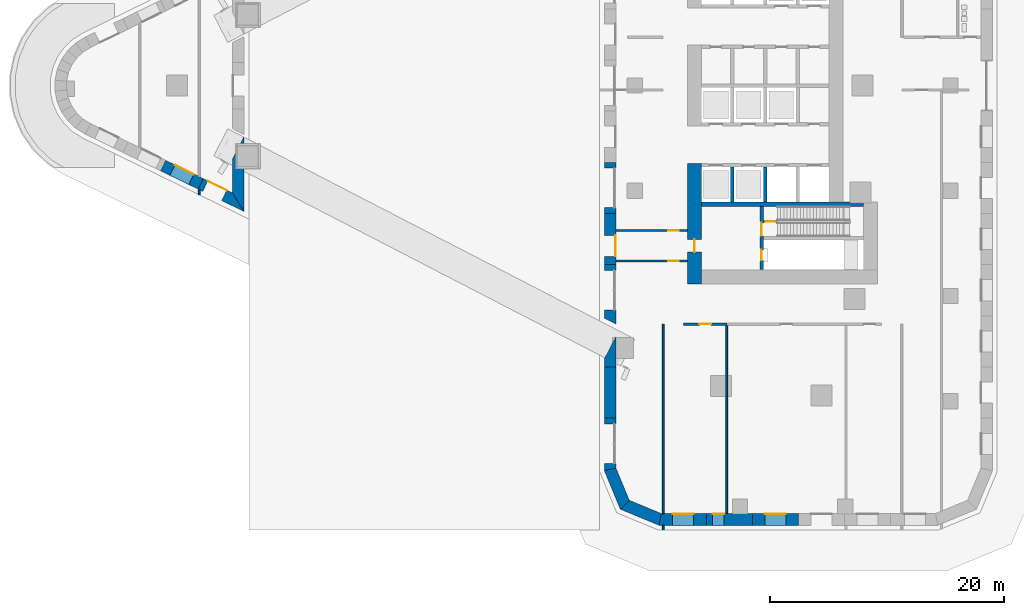
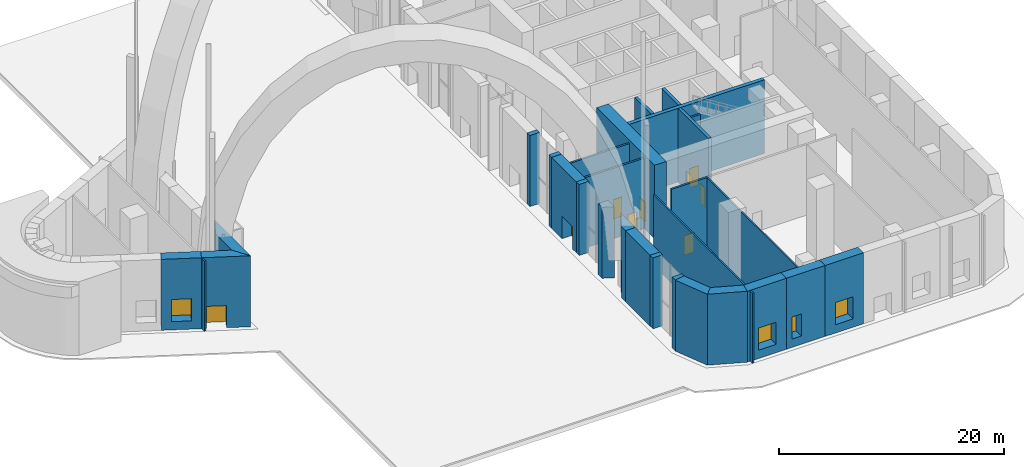
# One storey, part 9 of 22: 30 walls, 9 doors, 4 windows, 13 openings.
"""IFC4 building model written with IfcOpenShell, lengths in metres."""

from ifc_helpers import new_model, si_unit, direction, frame, frame_2d, origin, place, context, subcontext, project, spatial, polyline, rectangle, outline, extrude, material, layer, layer_set, type_object, element, fill, save


model = new_model("IFC4")

# Units and contexts
model_context = context("Model", 3, precision=1e-05, world=origin(), true_north=direction((0.0, 1.0)))
body_context = subcontext(model_context, "Body", "Model", "MODEL_VIEW")
ifc_project = project(units=[si_unit("LENGTHUNIT", "METRE"), si_unit("AREAUNIT", "SQUARE_METRE"), si_unit("VOLUMEUNIT", "CUBIC_METRE"), si_unit("PLANEANGLEUNIT", "RADIAN"), si_unit("MASSUNIT", "GRAM", prefix="KILO")], contexts=[model_context])

# Site, building, storey
site_placement = place(None, origin())
site = spatial("IfcSite", under=ifc_project, at=site_placement, CompositionType="ELEMENT")
building_placement = place(site_placement, origin())
building = spatial("IfcBuilding", under=site, at=building_placement, Name="Ostrand Prow Hotel Tower", CompositionType="ELEMENT")
storey_placement = place(building_placement, origin())
storey = spatial("IfcBuildingStorey", under=building, at=storey_placement, Name="L00", CompositionType="ELEMENT", Elevation=0.0)

# Wall, opening, door
ifc_material_1 = material(Name="Concrete C80/95", Category="concrete")
ifc_layer_1 = layer(ifc_material_1, 1.199951171875)
ifc_layer_set_1 = layer_set([ifc_layer_1], Name="Concrete C80/95")
wall_type_1 = type_object("IfcWallType", Name="Core wall 1200 C80/95", PredefinedType="SHEAR", material=ifc_layer_set_1)
wall_1_placement = place(storey_placement, frame((50.10009765625, -16.949951171875, 0.0), z_axis=(0.0, 0.0, 1.0), x_axis=(0.0, 1.0, 0.0)))
wall_1 = element("IfcWall", 1, at=wall_1_placement, inside=storey, type_object=wall_type_1, Name="Core wall CW-W-S", PredefinedType="SHEAR", context=body_context, shape_type="SweptSolid", body=[
    extrude(rectangle(XDim=10.300048828125, YDim=1.199951171875, at=frame_2d((5.14990234375, 0.0))), origin(), (0.0, 0.0, 1.0), 8.0),
])
opening_1_placement = place(wall_1_placement, frame((2.699951171875, 0.0, 0.0)))
opening_1 = element("IfcOpeningElement", 2, at=opening_1_placement, cuts=wall_1, Name="Opening FD1", PredefinedType="OPENING", context=body_context, shape_type="SweptSolid", body=[
    extrude(rectangle(XDim=1.10009765625, YDim=2.10009765625, at=frame_2d((0.550048828125, 1.050048828125))), frame((0.0, 0.60986328125, 0.0), z_axis=(0.0, -1.0, 0.0), x_axis=(1.0, 0.0, 0.0)), (0.0, 0.0, 1.0), 1.219970703125),
])
ifc_material_2 = material(Name="Steel fire door", Category="steel")
door_type_1 = type_object("IfcDoorType", Name="Fire door 1100 EI120", OperationType="SINGLE_SWING_RIGHT", PredefinedType="DOOR", material=ifc_material_2)
door_1_placement = place(opening_1_placement, origin())
door_1 = element("IfcDoor", 3, at=door_1_placement, inside=storey, type_object=door_type_1, Name="FIRE DOOR", OperationType="SINGLE_SWING_RIGHT", OverallHeight=2.10009765625, OverallWidth=1.10009765625, PredefinedType="DOOR", context=body_context, shape_type="SweptSolid", body=[
    extrude(rectangle(XDim=1.10009765625, YDim=2.10009765625, at=frame_2d((0.550048828125, 1.050048828125))), frame((0.0, 0.02490234375, 0.0), z_axis=(0.0, -1.0, 0.0), x_axis=(1.0, 0.0, 0.0)), (0.0, 0.0, 1.0), 0.050048828125),
])
fill(opening_1, door_1)

# Walls
ifc_material_3 = material(Name="Concrete C80/95", Category="concrete")
ifc_layer_2 = layer(ifc_material_3, 0.300048828125)
ifc_layer_set_2 = layer_set([ifc_layer_2], Name="Concrete C80/95")
wall_type_2 = type_object("IfcWallType", Name="Core wall 300 C80/95", PredefinedType="SHEAR", material=ifc_layer_set_2)
for number, where, z_axis, x_axis, name in (
    (4, (53.35009765625, -9.949951171875, 0.0), (0.0, 0.0, 1.0), (0.0, 1.0, 0.0), "Core wall PW-R1-SA"),
    (5, (56.14990234375, -9.949951171875, 0.0), (0.0, 0.0, 1.0), (0.0, 1.0, 0.0), "Core wall PW-R2-SA"),
):
    element("IfcWall", number, at=place(storey_placement, frame(where, z_axis=z_axis, x_axis=x_axis)), inside=storey, type_object=wall_type_2, Name=name, PredefinedType="SHEAR", context=body_context, shape_type="SweptSolid", body=[
        extrude(rectangle(XDim=3.0, YDim=0.300048828125, at=frame_2d((1.5, 0.0))), origin(), (0.0, 0.0, 1.0), 8.0),
    ])

# Wall, openings, doors
wall_2_placement = place(storey_placement, frame((55.85009765625, -15.75, 0.0), z_axis=(0.0, 0.0, 1.0), x_axis=(0.0, 1.0, 0.0)))
wall_2 = element("IfcWall", 6, at=wall_2_placement, inside=storey, type_object=wall_type_2, Name="Core wall PW-VS", PredefinedType="SHEAR", context=body_context, shape_type="SweptSolid", body=[
    extrude(rectangle(XDim=5.39990234375, YDim=0.300048828125, at=frame_2d((2.699951171875, 0.0))), origin(), (0.0, 0.0, 1.0), 8.0),
])
opening_2_placement = place(wall_2_placement, frame((2.89990234375, 0.0, 0.0)))
opening_2 = element("IfcOpeningElement", 7, at=opening_2_placement, cuts=wall_2, Name="Opening FD1", PredefinedType="OPENING", context=body_context, shape_type="SweptSolid", body=[
    extrude(rectangle(XDim=1.10009765625, YDim=2.10009765625, at=frame_2d((0.550048828125, 1.050048828125))), frame((0.0, 0.159912109375, 0.0), z_axis=(0.0, -1.0, 0.0), x_axis=(1.0, 0.0, 0.0)), (0.0, 0.0, 1.0), 0.320068359375),
])
opening_3_placement = place(wall_2_placement, frame((0.800048828125, 0.0, 0.0)))
opening_3 = element("IfcOpeningElement", 8, at=opening_3_placement, cuts=wall_2, Name="Opening FD2", PredefinedType="OPENING", context=body_context, shape_type="SweptSolid", body=[
    extrude(rectangle(XDim=0.89990234375, YDim=2.10009765625, at=frame_2d((0.449951171875, 1.050048828125))), frame((0.0, 0.159912109375, 0.0), z_axis=(0.0, -1.0, 0.0), x_axis=(1.0, 0.0, 0.0)), (0.0, 0.0, 1.0), 0.320068359375),
])
door_2_placement = place(opening_2_placement, origin())
door_2 = element("IfcDoor", 9, at=door_2_placement, inside=storey, type_object=door_type_1, Name="FIRE DOOR", OperationType="SINGLE_SWING_RIGHT", OverallHeight=2.10009765625, OverallWidth=1.10009765625, PredefinedType="DOOR", context=body_context, shape_type="SweptSolid", body=[
    extrude(rectangle(XDim=1.10009765625, YDim=2.10009765625, at=frame_2d((0.550048828125, 1.050048828125))), frame((0.0, 0.02490234375, 0.0), z_axis=(0.0, -1.0, 0.0), x_axis=(1.0, 0.0, 0.0)), (0.0, 0.0, 1.0), 0.050048828125),
])
fill(opening_2, door_2)
ifc_material_4 = material(Name="Steel fire door", Category="steel")
door_type_2 = type_object("IfcDoorType", Name="Fire door 900 EI120", OperationType="SINGLE_SWING_LEFT", PredefinedType="DOOR", material=ifc_material_4)
door_3_placement = place(opening_3_placement, origin())
door_3 = element("IfcDoor", 10, at=door_3_placement, inside=storey, type_object=door_type_2, Name="FIRE DOOR", OperationType="SINGLE_SWING_LEFT", OverallHeight=2.10009765625, OverallWidth=0.89990234375, PredefinedType="DOOR", context=body_context, shape_type="SweptSolid", body=[
    extrude(rectangle(XDim=0.89990234375, YDim=2.10009765625, at=frame_2d((0.449951171875, 1.050048828125))), frame((0.0, 0.02490234375, 0.0), z_axis=(0.0, -1.0, 0.0), x_axis=(1.0, 0.0, 0.0)), (0.0, 0.0, 1.0), 0.050048828125),
])
fill(opening_3, door_3)

# Walls
ifc_material_5 = material(Name="Concrete C80/95", Category="concrete")
ifc_layer_3 = layer(ifc_material_5, 0.39990234375)
ifc_layer_set_3 = layer_set([ifc_layer_3], Name="Concrete C80/95")
wall_type_3 = type_object("IfcWallType", Name="Core wall 400 C80/95", PredefinedType="SHEAR", material=ifc_layer_set_3)
wall_3_placement = place(storey_placement, frame((50.699951171875, -10.14990234375, 0.0), z_axis=(0.0, 0.0, 1.0), x_axis=(1.0, 0.0, 0.0)))
element("IfcWall", 11, at=wall_3_placement, inside=storey, type_object=wall_type_3, Name="Core wall PW-BS", PredefinedType="SHEAR", context=body_context, shape_type="SweptSolid", body=[
    extrude(rectangle(XDim=13.860107421875, YDim=0.39990234375, at=frame_2d((6.93017578125, 0.0))), origin(), (0.0, 0.0, 1.0), 8.0),
])
ifc_material_6 = material(Name="Plasterboard partition")
ifc_layer_4 = layer(ifc_material_6, 0.14990234375)
ifc_layer_set_4 = layer_set([ifc_layer_4], Name="Plasterboard partition")
wall_type_4 = type_object("IfcWallType", Name="Partition 150 room partition", PredefinedType="PARTITIONING", material=ifc_layer_set_4)
wall_4_placement = place(storey_placement, frame((47.43994140625, -38.0, 0.0), z_axis=(0.0, 0.0, 1.0), x_axis=(0.0, 1.0, 0.0)))
element("IfcWall", 12, at=wall_4_placement, inside=storey, type_object=wall_type_4, Name="ROOM PARTITION", PredefinedType="PARTITIONING", context=body_context, shape_type="SweptSolid", body=[
    extrude(rectangle(XDim=0.39990234375, YDim=0.14990234375, at=frame_2d((0.199951171875, 0.0))), origin(), (0.0, 0.0, 1.0), 7.64990234375),
])
wall_5_placement = place(storey_placement, frame((47.43994140625, -36.60009765625, 0.0), z_axis=(0.0, 0.0, 1.0), x_axis=(0.0, 1.0, 0.0)))
element("IfcWall", 13, at=wall_5_placement, inside=storey, type_object=wall_type_4, Name="ROOM PARTITION", PredefinedType="PARTITIONING", context=body_context, shape_type="SweptSolid", body=[
    extrude(rectangle(XDim=16.2001953125, YDim=0.14990234375, at=frame_2d((8.10009765625, 0.0))), origin(), (0.0, 0.0, 1.0), 7.64990234375),
])
wall_6_placement = place(storey_placement, frame((52.8798828125, -36.570068359375, 0.0), z_axis=(0.0, 0.0, 1.0), x_axis=(0.0, 1.0, 0.0)))
element("IfcWall", 14, at=wall_6_placement, inside=storey, type_object=wall_type_4, Name="ROOM PARTITION", PredefinedType="PARTITIONING", context=body_context, shape_type="SweptSolid", body=[
    extrude(rectangle(XDim=16.170166015625, YDim=0.14990234375, at=frame_2d((8.0849609375, 0.0))), origin(), (0.0, 0.0, 1.0), 7.64990234375),
])
wall_7_placement = place(storey_placement, frame((7.75634765625, -9.34375, 0.0), z_axis=(0.0, 0.0, 1.0), x_axis=(0.0, 1.0, 0.0)))
element("IfcWall", 15, at=wall_7_placement, inside=storey, type_object=wall_type_4, Name="ROOM PARTITION", PredefinedType="PARTITIONING", context=body_context, shape_type="SweptSolid", body=[
    extrude(rectangle(XDim=0.445068359375, YDim=0.14990234375, at=frame_2d((0.22265625, 0.0))), origin(), (0.0, 0.0, 1.0), 7.64990234375),
])

# Wall, opening, door
ifc_material_7 = material(Name="Plasterboard partition")
ifc_layer_5 = layer(ifc_material_7, 0.199951171875)
ifc_layer_set_5 = layer_set([ifc_layer_5], Name="Plasterboard partition")
wall_type_5 = type_object("IfcWallType", Name="Partition 200 corridor wall", PredefinedType="PARTITIONING", material=ifc_layer_set_5)
wall_8_placement = place(storey_placement, frame((49.169921875, -20.39990234375, 0.0), z_axis=(0.0, 0.0, 1.0), x_axis=(1.0, 0.0, 0.0)))
wall_8 = element("IfcWall", 16, at=wall_8_placement, inside=storey, type_object=wall_type_5, Name="CORRIDOR WALL", PredefinedType="PARTITIONING", context=body_context, shape_type="SweptSolid", body=[
    extrude(rectangle(XDim=3.7099609375, YDim=0.199951171875, at=frame_2d((1.85498046875, 0.0))), origin(), (0.0, 0.0, 1.0), 7.64990234375),
])
opening_4_placement = place(wall_8_placement, frame((1.35498046875, 0.0, 0.0)))
opening_4 = element("IfcOpeningElement", 17, at=opening_4_placement, cuts=wall_8, Name="Opening D1", PredefinedType="OPENING", context=body_context, shape_type="SweptSolid", body=[
    extrude(rectangle(XDim=1.0, YDim=2.10009765625, at=frame_2d((0.5, 1.050048828125))), frame((0.0, 0.10986328125, 0.0), z_axis=(0.0, -1.0, 0.0), x_axis=(1.0, 0.0, 0.0)), (0.0, 0.0, 1.0), 0.219970703125),
])
ifc_material_8 = material(Name="Timber door leaf", Category="wood")
door_type_3 = type_object("IfcDoorType", Name="Guest room door 1000", OperationType="SINGLE_SWING_LEFT", PredefinedType="DOOR", material=ifc_material_8)
door_4_placement = place(opening_4_placement, origin())
door_4 = element("IfcDoor", 18, at=door_4_placement, inside=storey, type_object=door_type_3, Name="DOOR", OperationType="SINGLE_SWING_LEFT", OverallHeight=2.10009765625, OverallWidth=1.0, PredefinedType="DOOR", context=body_context, shape_type="SweptSolid", body=[
    extrude(rectangle(XDim=1.0, YDim=2.10009765625, at=frame_2d((0.5, 1.050048828125))), frame((0.0, 0.02490234375, 0.0), z_axis=(0.0, -1.0, 0.0), x_axis=(1.0, 0.0, 0.0)), (0.0, 0.0, 1.0), 0.050048828125),
])
fill(opening_4, door_4)

ifc_material_9 = material(Name="Plasterboard partition")
ifc_layer_6 = layer(ifc_material_9, 0.199951171875)
ifc_layer_set_6 = layer_set([ifc_layer_6], Name="Plasterboard partition")
wall_type_6 = type_object("IfcWallType", Name="Partition 200 exit passage wall", PredefinedType="PARTITIONING", material=ifc_layer_set_6)
wall_9_placement = place(storey_placement, frame((43.39990234375, -15.0, 0.0), z_axis=(0.0, 0.0, 1.0), x_axis=(1.0, 0.0, 0.0)))
wall_9 = element("IfcWall", 19, at=wall_9_placement, inside=storey, type_object=wall_type_6, Name="EXIT PASSAGE WALL", PredefinedType="PARTITIONING", context=body_context, shape_type="SweptSolid", body=[
    extrude(rectangle(XDim=6.10009765625, YDim=0.199951171875, at=frame_2d((3.050048828125, 0.0))), origin(), (0.0, 0.0, 1.0), 7.64990234375),
])
opening_5_placement = place(wall_9_placement, frame((4.449951171875, 0.0, 0.0)))
opening_5 = element("IfcOpeningElement", 20, at=opening_5_placement, cuts=wall_9, Name="Opening FD2", PredefinedType="OPENING", context=body_context, shape_type="SweptSolid", body=[
    extrude(rectangle(XDim=0.89990234375, YDim=2.10009765625, at=frame_2d((0.449951171875, 1.050048828125))), frame((0.0, 0.10986328125, 0.0), z_axis=(0.0, -1.0, 0.0), x_axis=(1.0, 0.0, 0.0)), (0.0, 0.0, 1.0), 0.219970703125),
])
door_5_placement = place(opening_5_placement, origin())
door_5 = element("IfcDoor", 21, at=door_5_placement, inside=storey, type_object=door_type_2, Name="DOOR", OperationType="SINGLE_SWING_LEFT", OverallHeight=2.10009765625, OverallWidth=0.89990234375, PredefinedType="DOOR", context=body_context, shape_type="SweptSolid", body=[
    extrude(rectangle(XDim=0.89990234375, YDim=2.10009765625, at=frame_2d((0.449951171875, 1.050048828125))), frame((0.0, 0.02490234375, 0.0), z_axis=(0.0, -1.0, 0.0), x_axis=(1.0, 0.0, 0.0)), (0.0, 0.0, 1.0), 0.050048828125),
])
fill(opening_5, door_5)

wall_10_placement = place(storey_placement, frame((43.39990234375, -12.39990234375, 0.0), z_axis=(0.0, 0.0, 1.0), x_axis=(1.0, 0.0, 0.0)))
wall_10 = element("IfcWall", 22, at=wall_10_placement, inside=storey, type_object=wall_type_6, Name="EXIT PASSAGE WALL", PredefinedType="PARTITIONING", context=body_context, shape_type="SweptSolid", body=[
    extrude(rectangle(XDim=6.10009765625, YDim=0.199951171875, at=frame_2d((3.050048828125, 0.0))), origin(), (0.0, 0.0, 1.0), 7.64990234375),
])
opening_6_placement = place(wall_10_placement, frame((4.449951171875, 0.0, 0.0)))
opening_6 = element("IfcOpeningElement", 23, at=opening_6_placement, cuts=wall_10, Name="Opening FD2", PredefinedType="OPENING", context=body_context, shape_type="SweptSolid", body=[
    extrude(rectangle(XDim=0.89990234375, YDim=2.10009765625, at=frame_2d((0.449951171875, 1.050048828125))), frame((0.0, 0.10986328125, 0.0), z_axis=(0.0, -1.0, 0.0), x_axis=(1.0, 0.0, 0.0)), (0.0, 0.0, 1.0), 0.219970703125),
])
door_6_placement = place(opening_6_placement, origin())
door_6 = element("IfcDoor", 24, at=door_6_placement, inside=storey, type_object=door_type_2, Name="DOOR", OperationType="SINGLE_SWING_LEFT", OverallHeight=2.10009765625, OverallWidth=0.89990234375, PredefinedType="DOOR", context=body_context, shape_type="SweptSolid", body=[
    extrude(rectangle(XDim=0.89990234375, YDim=2.10009765625, at=frame_2d((0.449951171875, 1.050048828125))), frame((0.0, 0.02490234375, 0.0), z_axis=(0.0, -1.0, 0.0), x_axis=(1.0, 0.0, 0.0)), (0.0, 0.0, 1.0), 0.050048828125),
])
fill(opening_6, door_6)

ifc_material_10 = material(Name="Plasterboard partition")
ifc_layer_7 = layer(ifc_material_10, 0.199951171875)
ifc_layer_set_7 = layer_set([ifc_layer_7], Name="Plasterboard partition")
wall_type_7 = type_object("IfcWallType", Name="Partition 200 stair barrier wall", PredefinedType="PARTITIONING", material=ifc_layer_set_7)
wall_11_placement = place(storey_placement, frame((56.0, -11.625, 0.0), z_axis=(0.0, 0.0, 1.0), x_axis=(1.0, 0.0, 0.0)))
wall_11 = element("IfcWall", 25, at=wall_11_placement, inside=storey, type_object=wall_type_7, Name="STAIR BARRIER WALL", PredefinedType="PARTITIONING", context=body_context, shape_type="SweptSolid", body=[
    extrude(rectangle(XDim=1.199951171875, YDim=0.199951171875, at=frame_2d((0.60009765625, 0.0))), origin(), (0.0, 0.0, 1.0), 7.64990234375),
])
opening_7_placement = place(wall_11_placement, frame((0.14990234375, 0.0, 0.0)))
opening_7 = element("IfcOpeningElement", 26, at=opening_7_placement, cuts=wall_11, Name="Opening FD3", PredefinedType="OPENING", context=body_context, shape_type="SweptSolid", body=[
    extrude(rectangle(XDim=0.89990234375, YDim=2.10009765625, at=frame_2d((0.449951171875, 1.050048828125))), frame((0.0, 0.10986328125, 0.0), z_axis=(0.0, -1.0, 0.0), x_axis=(1.0, 0.0, 0.0)), (0.0, 0.0, 1.0), 0.219970703125),
])
ifc_material_11 = material(Name="Steel fire door", Category="steel")
door_type_4 = type_object("IfcDoorType", Name="Basement stair door 900 EI120", OperationType="SINGLE_SWING_LEFT", PredefinedType="DOOR", material=ifc_material_11)
door_7_placement = place(opening_7_placement, origin())
door_7 = element("IfcDoor", 27, at=door_7_placement, inside=storey, type_object=door_type_4, Name="STAIR BARRIER DOOR", OperationType="SINGLE_SWING_LEFT", OverallHeight=2.10009765625, OverallWidth=0.89990234375, PredefinedType="DOOR", context=body_context, shape_type="SweptSolid", body=[
    extrude(rectangle(XDim=0.89990234375, YDim=2.10009765625, at=frame_2d((0.449951171875, 1.050048828125))), frame((0.0, 0.02490234375, 0.0), z_axis=(0.0, -1.0, 0.0), x_axis=(1.0, 0.0, 0.0)), (0.0, 0.0, 1.0), 0.050048828125),
])
fill(opening_7, door_7)

# Wall
ifc_material_12 = material(Name="Precast concrete C40/50", Category="concrete")
ifc_layer_8 = layer(ifc_material_12, 1.0)
ifc_layer_set_8 = layer_set([ifc_layer_8], Name="Precast concrete C40/50")
wall_type_8 = type_object("IfcWallType", Name="Portal pier wall 1000 mm", PredefinedType="NOTDEFINED", material=ifc_layer_set_8)
wall_12_placement = place(storey_placement, frame((11.10009765625, -9.972412109375, 0.0), z_axis=(0.0, 0.0, 1.0), x_axis=(0.0, 1.0, 0.0)))
element("IfcWall", 28, at=wall_12_placement, inside=storey, type_object=wall_type_8, Name="Portal pier wall L00-PP000", PredefinedType="NOTDEFINED", context=body_context, shape_type="SweptSolid", body=[
    extrude(outline(polyline([(-0.800048828125, -0.5), (5.62109375, -0.5), (3.685546875, 0.5), (0.800048828125, 0.5), (-0.800048828125, -0.5)])), origin(), (0.0, 0.0, 1.0), 7.699951171875),
])

# Wall, opening, window
wall_13_placement = place(storey_placement, frame((4.672119140625, -6.839111328125, 0.0), z_axis=(0.0, 0.0, 1.0), x_axis=(0.898888507486, -0.43817741967, 0.0)))
wall_13 = element("IfcWall", 29, at=wall_13_placement, inside=storey, type_object=wall_type_8, Name="Portal pier wall L00-PP022", PredefinedType="NOTDEFINED", context=body_context, shape_type="SweptSolid", body=[
    extrude(outline(polyline([(0.0, -0.5), (3.575439453125, -0.5), (3.575439453125, 0.5), (0.0, 0.5), (0.0, -0.5)])), origin(), (0.0, 0.0, 1.0), 7.699951171875),
])
opening_8_placement = place(wall_13_placement, frame((0.8876953125, 0.0, 0.89990234375)))
opening_8 = element("IfcOpeningElement", 30, at=opening_8_placement, cuts=wall_13, Name="Opening WP2", PredefinedType="OPENING", context=body_context, shape_type="SweptSolid", body=[
    extrude(rectangle(XDim=1.800048828125, YDim=2.39990234375, at=frame_2d((0.89990234375, 1.199951171875))), frame((0.0, 0.510009765625, 0.0), z_axis=(0.0, -1.0, 0.0), x_axis=(1.0, 0.0, 0.0)), (0.0, 0.0, 1.0), 1.02001953125),
])
ifc_material_13 = material(Name="Insulated glass in bronze anodised frame", Category="glass")
window_type = type_object("IfcWindowType", Name="Portal window 1800x2400", PartitioningType="SINGLE_PANEL", PredefinedType="WINDOW", material=ifc_material_13)
window_1_placement = place(opening_8_placement, origin())
window_1 = element("IfcWindow", 31, at=window_1_placement, inside=storey, type_object=window_type, Name="Portal window L00-PP022", OverallHeight=2.39990234375, OverallWidth=1.800048828125, PartitioningType="SINGLE_PANEL", PredefinedType="WINDOW", context=body_context, shape_type="SweptSolid", body=[
    extrude(rectangle(XDim=1.800048828125, YDim=2.39990234375, at=frame_2d((0.89990234375, 1.199951171875))), frame((0.0, 0.5, 0.0), z_axis=(0.0, -1.0, 0.0), x_axis=(1.0, 0.0, 0.0)), (0.0, 0.0, 1.0), 0.06005859375),
])
fill(opening_8, window_1)

# Wall, opening, door
wall_14_placement = place(storey_placement, frame((7.885986328125, -8.40576171875, 0.0), z_axis=(0.0, 0.0, 1.0), x_axis=(0.89890161674, -0.438150525987, 0.0)))
wall_14 = element("IfcWall", 32, at=wall_14_placement, inside=storey, type_object=wall_type_8, Name="Portal pier wall L00-PP023", PredefinedType="NOTDEFINED", context=body_context, shape_type="SweptSolid", body=[
    extrude(outline(polyline([(0.0, -0.5), (4.375732421875, -0.5), (2.775634765625, 0.5), (0.0, 0.5), (0.0, -0.5)])), origin(), (0.0, 0.0, 1.0), 7.699951171875),
])
opening_9_placement = place(wall_14_placement, frame((0.437744140625, 0.0, 0.0)))
opening_9 = element("IfcOpeningElement", 33, at=opening_9_placement, cuts=wall_14, Name="Opening E03", PredefinedType="OPENING", context=body_context, shape_type="SweptSolid", body=[
    extrude(rectangle(XDim=1.800048828125, YDim=2.39990234375, at=frame_2d((0.89990234375, 1.199951171875))), frame((0.0, 0.510009765625, 0.0), z_axis=(0.0, -1.0, 0.0), x_axis=(1.0, 0.0, 0.0)), (0.0, 0.0, 1.0), 1.02001953125),
])
ifc_material_14 = material(Name="Bronze anodised aluminium and glass", Category="aluminium")
door_type_5 = type_object("IfcDoorType", Name="Entrance double door 1800x2400", OperationType="DOUBLE_DOOR_SINGLE_SWING", PredefinedType="DOOR", material=ifc_material_14)
door_8_placement = place(opening_9_placement, origin())
door_8 = element("IfcDoor", 34, at=door_8_placement, inside=storey, type_object=door_type_5, Name="Entrance door E03 DE1", OperationType="DOUBLE_DOOR_SINGLE_SWING", OverallHeight=2.39990234375, OverallWidth=1.800048828125, PredefinedType="DOOR", context=body_context, shape_type="SweptSolid", body=[
    extrude(rectangle(XDim=1.800048828125, YDim=2.39990234375, at=frame_2d((0.89990234375, 1.199951171875))), frame((0.0, 0.4951171875, 0.0), z_axis=(0.0, -1.0, 0.0), x_axis=(1.0, 0.0, 0.0)), (0.0, 0.0, 1.0), 0.050048828125),
])
fill(opening_9, door_8)

# Wall, opening, window
wall_15_placement = place(storey_placement, frame((47.178955078125, -37.10009765625, 0.0), z_axis=(0.0, 0.0, 1.0), x_axis=(1.0, 0.0, 0.0)))
wall_15 = element("IfcWall", 35, at=wall_15_placement, inside=storey, type_object=wall_type_8, Name="Portal pier wall L00-PP100", PredefinedType="NOTDEFINED", context=body_context, shape_type="SweptSolid", body=[
    extrude(outline(polyline([(-0.099609375, -0.5), (3.9404296875, -0.5), (3.9404296875, 0.5), (0.099609375, 0.5), (-0.099609375, -0.5)])), origin(), (0.0, 0.0, 1.0), 7.699951171875),
])
opening_10_placement = place(wall_15_placement, frame((1.0703125, 0.0, 0.89990234375)))
opening_10 = element("IfcOpeningElement", 36, at=opening_10_placement, cuts=wall_15, Name="Opening WP2", PredefinedType="OPENING", context=body_context, shape_type="SweptSolid", body=[
    extrude(rectangle(XDim=1.800048828125, YDim=2.39990234375, at=frame_2d((0.89990234375, 1.199951171875))), frame((0.0, 0.510009765625, 0.0), z_axis=(0.0, -1.0, 0.0), x_axis=(1.0, 0.0, 0.0)), (0.0, 0.0, 1.0), 1.02001953125),
])
window_2_placement = place(opening_10_placement, origin())
window_2 = element("IfcWindow", 37, at=window_2_placement, inside=storey, type_object=window_type, Name="Portal window L00-PP100", OverallHeight=2.39990234375, OverallWidth=1.800048828125, PartitioningType="SINGLE_PANEL", PredefinedType="WINDOW", context=body_context, shape_type="SweptSolid", body=[
    extrude(rectangle(XDim=1.800048828125, YDim=2.39990234375, at=frame_2d((0.89990234375, 1.199951171875))), frame((0.0, 0.5, 0.0), z_axis=(0.0, -1.0, 0.0), x_axis=(1.0, 0.0, 0.0)), (0.0, 0.0, 1.0), 0.06005859375),
])
fill(opening_10, window_2)

wall_16_placement = place(storey_placement, frame((51.119384765625, -37.10009765625, 0.0), z_axis=(0.0, 0.0, 1.0), x_axis=(1.0, 0.0, 0.0)))
wall_16 = element("IfcWall", 38, at=wall_16_placement, inside=storey, type_object=wall_type_8, Name="Portal pier wall L00-PP101", PredefinedType="NOTDEFINED", context=body_context, shape_type="SweptSolid", body=[
    extrude(outline(polyline([(0.0, -0.5), (3.9404296875, -0.5), (3.9404296875, 0.5), (0.0, 0.5), (0.0, -0.5)])), origin(), (0.0, 0.0, 1.0), 7.699951171875),
])
opening_11_placement = place(wall_16_placement, frame((0.5400390625, 0.0, 0.89990234375)))
opening_11 = element("IfcOpeningElement", 39, at=opening_11_placement, cuts=wall_16, Name="Opening WP2", PredefinedType="OPENING", context=body_context, shape_type="SweptSolid", body=[
    extrude(rectangle(XDim=0.980712890625, YDim=2.39990234375, at=frame_2d((0.490234375, 1.199951171875))), frame((0.0, 0.510009765625, 0.0), z_axis=(0.0, -1.0, 0.0), x_axis=(1.0, 0.0, 0.0)), (0.0, 0.0, 1.0), 1.02001953125),
])
window_3_placement = place(opening_11_placement, origin())
window_3 = element("IfcWindow", 40, at=window_3_placement, inside=storey, type_object=window_type, Name="Portal window L00-PP101", OverallHeight=2.39990234375, OverallWidth=0.980712890625, PartitioningType="SINGLE_PANEL", PredefinedType="WINDOW", context=body_context, shape_type="SweptSolid", body=[
    extrude(rectangle(XDim=0.980712890625, YDim=2.39990234375, at=frame_2d((0.490234375, 1.199951171875))), frame((0.0, 0.5, 0.0), z_axis=(0.0, -1.0, 0.0), x_axis=(1.0, 0.0, 0.0)), (0.0, 0.0, 1.0), 0.06005859375),
])
fill(opening_11, window_3)

wall_17_placement = place(storey_placement, frame((55.059814453125, -37.10009765625, 0.0), z_axis=(0.0, 0.0, 1.0), x_axis=(1.0, 0.0, 0.0)))
wall_17 = element("IfcWall", 41, at=wall_17_placement, inside=storey, type_object=wall_type_8, Name="Portal pier wall L00-PP102", PredefinedType="NOTDEFINED", context=body_context, shape_type="SweptSolid", body=[
    extrude(outline(polyline([(0.0, -0.5), (3.940185546875, -0.5), (3.940185546875, 0.5), (0.0, 0.5), (0.0, -0.5)])), origin(), (0.0, 0.0, 1.0), 7.699951171875),
])
opening_12_placement = place(wall_17_placement, frame((1.0703125, 0.0, 0.89990234375)))
opening_12 = element("IfcOpeningElement", 42, at=opening_12_placement, cuts=wall_17, Name="Opening WP2", PredefinedType="OPENING", context=body_context, shape_type="SweptSolid", body=[
    extrude(rectangle(XDim=1.800048828125, YDim=2.39990234375, at=frame_2d((0.89990234375, 1.199951171875))), frame((0.0, 0.510009765625, 0.0), z_axis=(0.0, -1.0, 0.0), x_axis=(1.0, 0.0, 0.0)), (0.0, 0.0, 1.0), 1.02001953125),
])
window_4_placement = place(opening_12_placement, origin())
window_4 = element("IfcWindow", 43, at=window_4_placement, inside=storey, type_object=window_type, Name="Portal window L00-PP102", OverallHeight=2.39990234375, OverallWidth=1.800048828125, PartitioningType="SINGLE_PANEL", PredefinedType="WINDOW", context=body_context, shape_type="SweptSolid", body=[
    extrude(rectangle(XDim=1.800048828125, YDim=2.39990234375, at=frame_2d((0.89990234375, 1.199951171875))), frame((0.0, 0.5, 0.0), z_axis=(0.0, -1.0, 0.0), x_axis=(1.0, 0.0, 0.0)), (0.0, 0.0, 1.0), 0.06005859375),
])
fill(opening_12, window_4)

# Walls
for number, where, z_axis, x_axis, name in (
    (44, (42.89990234375, -6.564208984375, 0.0), (0.0, 0.0, 1.0), (0.0, -1.0, 0.0), "Portal pier wall L00-PP142"),
    (45, (42.89990234375, -10.440185546875, 0.0), (0.0, 0.0, 1.0), (0.0, -1.0, 0.0), "Portal pier wall L00-PP142E"),
):
    element("IfcWall", number, at=place(storey_placement, frame(where, z_axis=z_axis, x_axis=x_axis)), inside=storey, type_object=wall_type_8, Name=name, PredefinedType="NOTDEFINED", context=body_context, shape_type="SweptSolid", body=[
        extrude(outline(polyline([(0.0, -0.5), (0.5, -0.5), (0.5, 0.5), (0.0, 0.5), (0.0, -0.5)])), origin(), (0.0, 0.0, 1.0), 7.699951171875),
    ])

# Wall, opening, door
wall_18_placement = place(storey_placement, frame((42.89990234375, -10.940185546875, 0.0), z_axis=(0.0, 0.0, 1.0), x_axis=(0.0, -1.0, 0.0)))
wall_18 = element("IfcWall", 46, at=wall_18_placement, inside=storey, type_object=wall_type_8, Name="Portal pier wall L00-PP143", PredefinedType="NOTDEFINED", context=body_context, shape_type="SweptSolid", body=[
    extrude(outline(polyline([(0.0, -0.5), (4.376220703125, -0.5), (4.376220703125, 0.5), (0.0, 0.5), (0.0, -0.5)])), origin(), (0.0, 0.0, 1.0), 7.699951171875),
])
opening_13_placement = place(wall_18_placement, frame((1.859619140625, 0.0, 0.0)))
opening_13 = element("IfcOpeningElement", 47, at=opening_13_placement, cuts=wall_18, Name="Opening E14", PredefinedType="OPENING", context=body_context, shape_type="SweptSolid", body=[
    extrude(rectangle(XDim=1.800048828125, YDim=2.39990234375, at=frame_2d((0.89990234375, 1.199951171875))), frame((0.0, 0.510009765625, 0.0), z_axis=(0.0, -1.0, 0.0), x_axis=(1.0, 0.0, 0.0)), (0.0, 0.0, 1.0), 1.02001953125),
])
door_9_placement = place(opening_13_placement, origin())
door_9 = element("IfcDoor", 48, at=door_9_placement, inside=storey, type_object=door_type_5, Name="Entrance door E14 DE1", OperationType="DOUBLE_DOOR_SINGLE_SWING", OverallHeight=2.39990234375, OverallWidth=1.800048828125, PredefinedType="DOOR", context=body_context, shape_type="SweptSolid", body=[
    extrude(rectangle(XDim=1.800048828125, YDim=2.39990234375, at=frame_2d((0.89990234375, 1.199951171875))), frame((0.0, 0.4951171875, 0.0), z_axis=(0.0, -1.0, 0.0), x_axis=(1.0, 0.0, 0.0)), (0.0, 0.0, 1.0), 0.050048828125),
])
fill(opening_13, door_9)

# Walls
wall_19_placement = place(storey_placement, frame((42.89990234375, -15.31640625, 0.0), z_axis=(0.0, 0.0, 1.0), x_axis=(0.0, -1.0, 0.0)))
element("IfcWall", 49, at=wall_19_placement, inside=storey, type_object=wall_type_8, Name="Portal pier wall L00-PP144", PredefinedType="NOTDEFINED", context=body_context, shape_type="SweptSolid", body=[
    extrude(outline(polyline([(0.0, -0.5), (0.5, -0.5), (0.5, 0.5), (0.0, 0.5), (0.0, -0.5)])), origin(), (0.0, 0.0, 1.0), 7.699951171875),
])
wall_20_placement = place(storey_placement, frame((42.89990234375, -19.192626953125, 0.0), z_axis=(0.0, 0.0, 1.0), x_axis=(0.0, -1.0, 0.0)))
element("IfcWall", 50, at=wall_20_placement, inside=storey, type_object=wall_type_8, Name="Portal pier wall L00-PP144E", PredefinedType="NOTDEFINED", context=body_context, shape_type="SweptSolid", body=[
    extrude(outline(polyline([(0.0, -0.5), (0.68994140625, -0.5), (1.20654296875, 0.5), (0.0, 0.5), (0.0, -0.5)])), origin(), (0.0, 0.0, 1.0), 7.699951171875),
])
wall_21_placement = place(storey_placement, frame((42.89990234375, -22.41650390625, 0.0), z_axis=(0.0, 0.0, 1.0), x_axis=(0.0, -1.0, 0.0)))
element("IfcWall", 51, at=wall_21_placement, inside=storey, type_object=wall_type_8, Name="Portal pier wall L00-PP145b", PredefinedType="NOTDEFINED", context=body_context, shape_type="SweptSolid", body=[
    extrude(outline(polyline([(0.967529296875, -0.5), (1.652099609375, -0.5), (1.652099609375, 0.5), (-0.967529296875, 0.5), (0.967529296875, -0.5)])), origin(), (0.0, 0.0, 1.0), 7.699951171875),
])
wall_22_placement = place(storey_placement, frame((42.89990234375, -24.068603515625, 0.0), z_axis=(0.0, 0.0, 1.0), x_axis=(0.0, -1.0, 0.0)))
element("IfcWall", 52, at=wall_22_placement, inside=storey, type_object=wall_type_8, Name="Portal pier wall L00-PP146", PredefinedType="NOTDEFINED", context=body_context, shape_type="SweptSolid", body=[
    extrude(outline(polyline([(0.0, -0.5), (4.376220703125, -0.5), (4.376220703125, 0.5), (0.0, 0.5), (0.0, -0.5)])), origin(), (0.0, 0.0, 1.0), 7.699951171875),
])
wall_23_placement = place(storey_placement, frame((42.89990234375, -28.44482421875, 0.0), z_axis=(0.0, 0.0, 1.0), x_axis=(0.0, -1.0, 0.0)))
element("IfcWall", 53, at=wall_23_placement, inside=storey, type_object=wall_type_8, Name="Portal pier wall L00-PP147", PredefinedType="NOTDEFINED", context=body_context, shape_type="SweptSolid", body=[
    extrude(outline(polyline([(0.0, -0.5), (0.5, -0.5), (0.5, 0.5), (0.0, 0.5), (0.0, -0.5)])), origin(), (0.0, 0.0, 1.0), 7.699951171875),
])
wall_24_placement = place(storey_placement, frame((42.89990234375, -32.321044921875, 0.0), z_axis=(0.0, 0.0, 1.0), x_axis=(0.0, -1.0, 0.0)))
element("IfcWall", 54, at=wall_24_placement, inside=storey, type_object=wall_type_8, Name="Portal pier wall L00-PP147E", PredefinedType="NOTDEFINED", context=body_context, shape_type="SweptSolid", body=[
    extrude(outline(polyline([(0.0, -0.5), (0.599609375, -0.5), (0.400390625, 0.5), (0.0, 0.5), (0.0, -0.5)])), origin(), (0.0, 0.0, 1.0), 7.699951171875),
])
wall_25_placement = place(storey_placement, frame((42.89990234375, -32.821044921875, 0.0), z_axis=(0.0, 0.0, 1.0), x_axis=(0.382724875529, -0.923862365102, 0.0)))
element("IfcWall", 55, at=wall_25_placement, inside=storey, type_object=wall_type_8, Name="Portal pier wall L00-PP148", PredefinedType="NOTDEFINED", context=body_context, shape_type="SweptSolid", body=[
    extrude(outline(polyline([(-0.099609375, -0.5), (3.48193359375, -0.5), (3.06787109375, 0.5), (0.099609375, 0.5), (-0.099609375, -0.5)])), origin(), (0.0, 0.0, 1.0), 7.699951171875),
])
wall_26_placement = place(storey_placement, frame((44.1533203125, -35.8466796875, 0.0), z_axis=(0.0, 0.0, 1.0), x_axis=(0.923862365102, -0.382724875529, 0.0)))
element("IfcWall", 56, at=wall_26_placement, inside=storey, type_object=wall_type_8, Name="Portal pier wall L00-PP149", PredefinedType="NOTDEFINED", context=body_context, shape_type="SweptSolid", body=[
    extrude(outline(polyline([(-0.20703125, -0.5), (3.37451171875, -0.5), (3.17529296875, 0.5), (0.20703125, 0.5), (-0.20703125, -0.5)])), origin(), (0.0, 0.0, 1.0), 7.699951171875),
])

save(model, "model.ifc")
